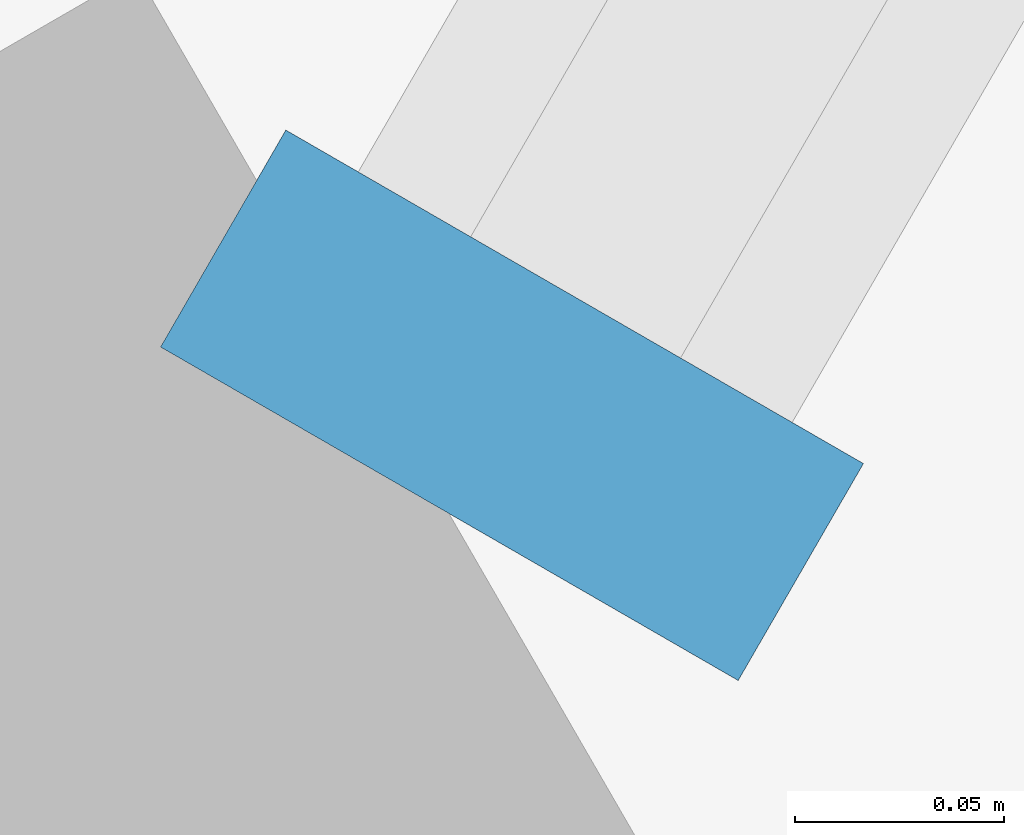
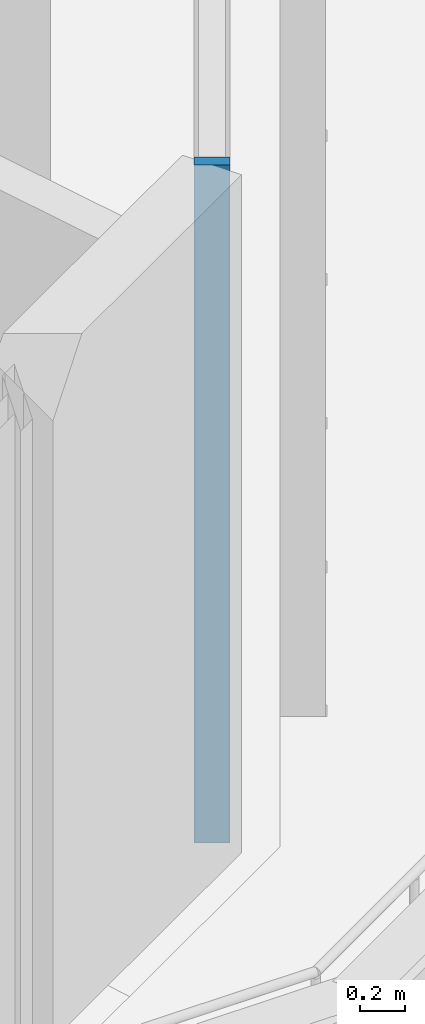
# One storey, part 33 of 127: 1 member, 1 element without a shape of its own.
"""IFC4 building model written with IfcOpenShell, lengths in metres."""

from ifc_helpers import new_model, si_unit, direction, frame, origin, origin_2d, place, context, subcontext, project, spatial, rectangle, extrude, material, material_profile, profile_set, type_object, element, aggregate, save


model = new_model("IFC4")

# Units and contexts
model_context = context("Model", 3, precision=1e-05, world=origin(), true_north=direction((0.0, 1.0)))
body_context = subcontext(model_context, "Body", "Model", "MODEL_VIEW")
ifc_project = project(units=[si_unit("LENGTHUNIT", "METRE"), si_unit("AREAUNIT", "SQUARE_METRE"), si_unit("VOLUMEUNIT", "CUBIC_METRE"), si_unit("PLANEANGLEUNIT", "RADIAN"), si_unit("MASSUNIT", "GRAM", prefix="KILO")], contexts=[model_context])

# Site, building, storey
site_placement = place(None, origin())
site = spatial("IfcSite", under=ifc_project, at=site_placement, CompositionType="ELEMENT")
building_placement = place(site_placement, origin())
building = spatial("IfcBuilding", under=site, at=building_placement, Name="Sandreach Pilgrim Tower", CompositionType="ELEMENT")
storey_placement = place(building_placement, frame((0.0, 0.0, 257.0)))
storey = spatial("IfcBuildingStorey", under=building, at=storey_placement, Name="L64", CompositionType="ELEMENT", Elevation=257.0)

# Curtain wall, member
ifc_material_1 = material(Name="Aluminium framed curtain wall", Category="aluminium")
curtain_wall_type = type_object("IfcCurtainWallType", Name="Suite tower curtain wall", PredefinedType="NOTDEFINED", material=ifc_material_1)
curtain_wall_placement = place(storey_placement, origin())
curtain_wall = element("IfcCurtainWall", 1, at=curtain_wall_placement, inside=storey, type_object=curtain_wall_type, Name="CW-4 L64 SE", PredefinedType="NOTDEFINED")
ifc_material_2 = material(Name="Aluminium extrusion", Category="aluminium")
ifc_material_profile = material_profile(ifc_material_2, rectangle(XDim=0.06005859375, YDim=0.159912109375, at=origin_2d()), Name="CW-4M 60X160")
ifc_profile_set = profile_set([ifc_material_profile], Name="Aluminium extrusion")
member_type = type_object("IfcMemberType", Name="CW-4 mullion", PredefinedType="MULLION", material=ifc_profile_set)
member_placement = place(storey_placement, frame((9.035888671875, -24.001953125, 0.0), z_axis=(0.0, 0.0, 1.0), x_axis=(-0.5, -0.866025403784, 0.0)))
member = element("IfcMember", 2, at=member_placement, type_object=member_type, Name="CW-4 mullion 10", PredefinedType="MULLION", context=body_context, shape_type="SweptSolid", body=[
    extrude(rectangle(XDim=0.06005859375, YDim=0.159912109375, at=origin_2d()), origin(), (0.0, 0.0, 1.0), 3.639892578125),
])
aggregate(curtain_wall, [member])

save(model, "model.ifc")
